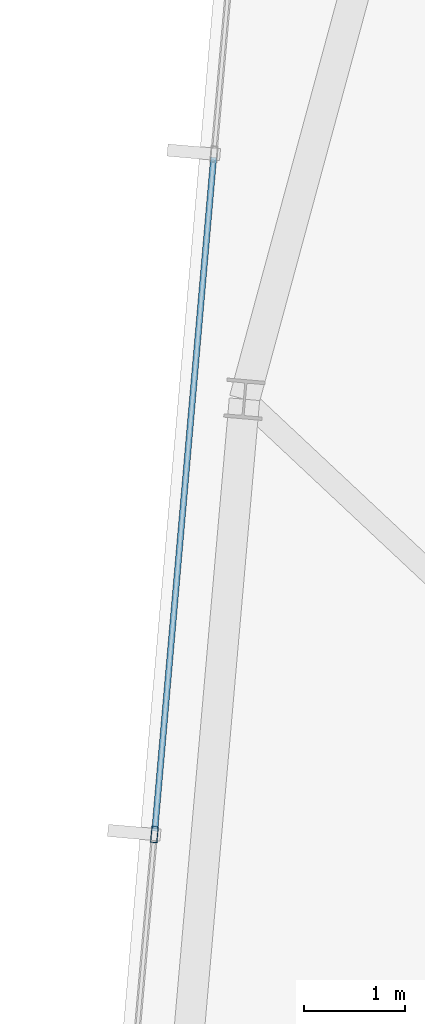
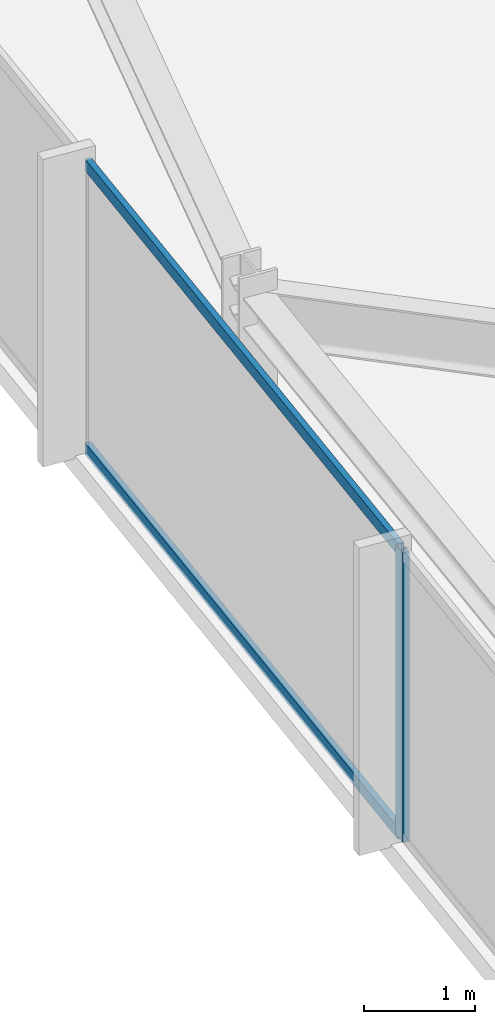
# One storey, part 9 of 33: 3 members, 1 element without a shape of its own.
"""IFC4 building model written with IfcOpenShell, lengths in metres."""

from ifc_helpers import new_model, si_unit, direction, frame, origin, origin_2d, place, context, subcontext, project, spatial, hollow_rectangle, extrude, material, material_profile, profile_set, type_object, element, aggregate, save


model = new_model("IFC4")

# Units and contexts
model_context = context("Model", 3, precision=1e-05, world=origin(), true_north=direction((0.0, 1.0)))
body_context = subcontext(model_context, "Body", "Model", "MODEL_VIEW")
ifc_project = project(units=[si_unit("LENGTHUNIT", "METRE"), si_unit("AREAUNIT", "SQUARE_METRE"), si_unit("VOLUMEUNIT", "CUBIC_METRE"), si_unit("PLANEANGLEUNIT", "RADIAN"), si_unit("MASSUNIT", "GRAM", prefix="KILO")], contexts=[model_context])

# Site, building, storey
site_placement = place(None, origin())
site = spatial("IfcSite", under=ifc_project, at=site_placement, CompositionType="ELEMENT")
building_placement = place(site_placement, origin())
building = spatial("IfcBuilding", under=site, at=building_placement, Name="Yelkora Congress Tower", CompositionType="ELEMENT")
storey_placement = place(building_placement, frame((0.0, 0.0, 282.89990234375)))
storey = spatial("IfcBuildingStorey", under=building, at=storey_placement, Name="L79", CompositionType="ELEMENT", Elevation=282.89990234375)

# Curtain wall, members
ifc_material_1 = material(Name="Anodised aluminium and insulated glass", Category="aluminium")
curtain_wall_type = type_object("IfcCurtainWallType", Name="CW-SYS-B5", PredefinedType="NOTDEFINED", material=ifc_material_1)
curtain_wall_placement = place(storey_placement, origin())
curtain_wall = element("IfcCurtainWall", 1, at=curtain_wall_placement, inside=storey, type_object=curtain_wall_type, Name="L79 Unitised Curtain Wall 5", PredefinedType="NOTDEFINED")
ifc_material_2 = material(Name="Anodised aluminium 6063-T6", Category="aluminium")
ifc_material_profile_1 = material_profile(ifc_material_2, hollow_rectangle(XDim=0.06494140625, YDim=0.159912109375, WallThickness=0.00390625, at=origin_2d()), Name="ALU 65x160x4")
ifc_profile_set_1 = profile_set([ifc_material_profile_1], Name="Anodised aluminium 6063-T6")
member_type_1 = type_object("IfcMemberType", Name="MEM-ML-B5", PredefinedType="MULLION", material=ifc_profile_set_1)
member_1_placement = place(storey_placement, frame((6.900146484375, 35.200927734375, 0.0), z_axis=(0.0, 0.0, 1.0), x_axis=(-0.996194785929, 0.08715473876, 0.0)))
member_1 = element("IfcMember", 2, at=member_1_placement, type_object=member_type_1, Name="CW-B5 mullion 3", PredefinedType="MULLION", context=body_context, shape_type="SweptSolid", body=[
    extrude(hollow_rectangle(XDim=0.06494140625, YDim=0.159912109375, WallThickness=0.00390625, at=origin_2d()), origin(), (0.0, 0.0, 1.0), 3.18017578125),
])
ifc_material_profile_2 = material_profile(ifc_material_2, hollow_rectangle(XDim=0.06005859375, YDim=0.1298828125, WallThickness=0.00390625, at=origin_2d()), Name="ALU 60x130x4")
ifc_profile_set_2 = profile_set([ifc_material_profile_2], Name="Anodised aluminium 6063-T6")
member_type_2 = type_object("IfcMemberType", Name="MEM-TR-B5", PredefinedType="USERDEFINED", material=ifc_profile_set_2)
member_2_placement = place(storey_placement, frame((6.903076171875, 35.2333984375, 0.030029296875), z_axis=(0.087143321513, 0.996195784731, 0.0), x_axis=(-0.996195784731, 0.087143321513, 0.0)))
member_2 = element("IfcMember", 3, at=member_2_placement, type_object=member_type_2, Name="CW-B5 transom 3.1", ObjectType="TRANSOM", PredefinedType="USERDEFINED", context=body_context, shape_type="SweptSolid", body=[
    extrude(hollow_rectangle(XDim=0.06005859375, YDim=0.1298828125, WallThickness=0.00390625, at=origin_2d()), origin(), (0.0, 0.0, 1.0), 6.6650390625),
])
member_3_placement = place(storey_placement, frame((6.903076171875, 35.2333984375, 3.150146484375), z_axis=(0.087143321513, 0.996195784731, 0.0), x_axis=(-0.996195784731, 0.087143321513, 0.0)))
member_3 = element("IfcMember", 4, at=member_3_placement, type_object=member_type_2, Name="CW-B5 transom 3.2", ObjectType="TRANSOM", PredefinedType="USERDEFINED", context=body_context, shape_type="SweptSolid", body=[
    extrude(hollow_rectangle(XDim=0.06005859375, YDim=0.1298828125, WallThickness=0.00390625, at=origin_2d()), origin(), (0.0, 0.0, 1.0), 6.6650390625),
])
aggregate(curtain_wall, [member_1, member_2, member_3])

save(model, "model.ifc")
